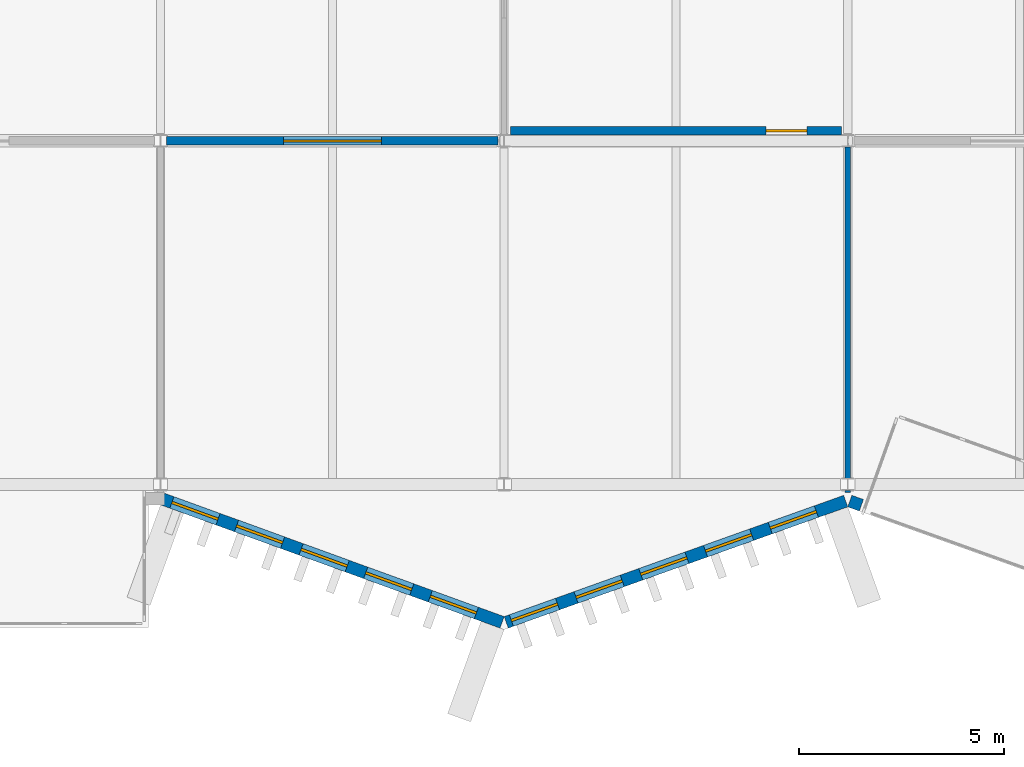
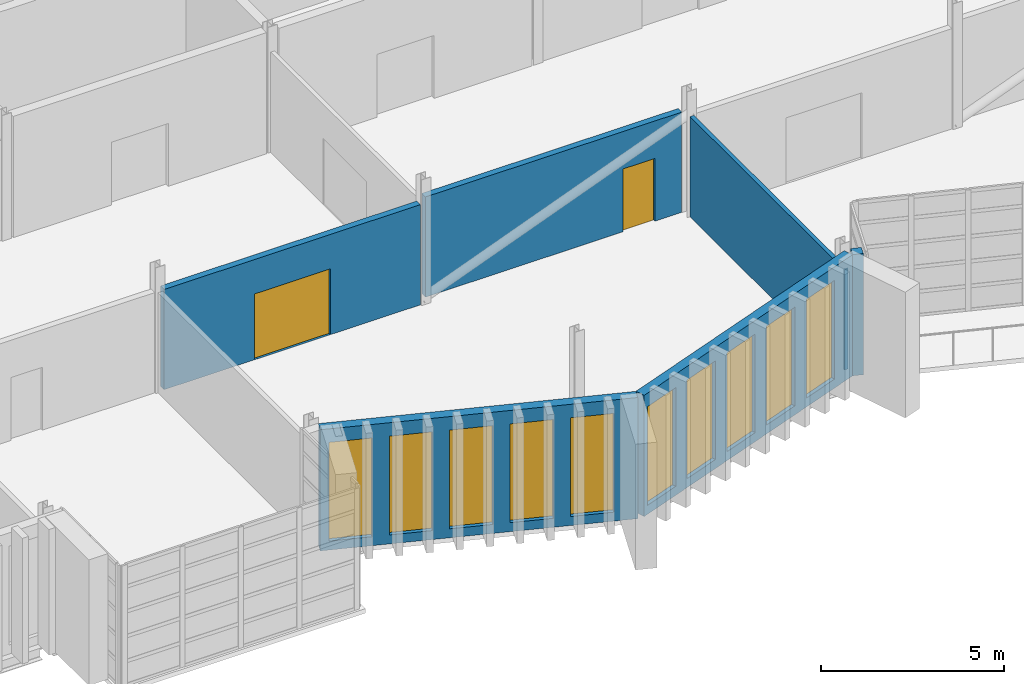
# One storey, part 65 of 100: 10 windows, 7 walls, 2 doors, 12 openings.
"""IFC4 building model written with IfcOpenShell, lengths in metres."""

from ifc_helpers import new_model, si_unit, direction, frame, frame_2d, origin, place, context, subcontext, project, spatial, rectangle, extrude, material, layer, layer_set, type_object, element, fill, save


model = new_model("IFC4")

# Units and contexts
model_context = context("Model", 3, precision=1e-05, world=origin(), true_north=direction((0.0, 1.0)))
body_context = subcontext(model_context, "Body", "Model", "MODEL_VIEW")
ifc_project = project(units=[si_unit("LENGTHUNIT", "METRE"), si_unit("AREAUNIT", "SQUARE_METRE"), si_unit("VOLUMEUNIT", "CUBIC_METRE"), si_unit("PLANEANGLEUNIT", "RADIAN"), si_unit("MASSUNIT", "GRAM", prefix="KILO")], contexts=[model_context])

# Site, building, storey
site_placement = place(None, origin())
site = spatial("IfcSite", under=ifc_project, at=site_placement, CompositionType="ELEMENT")
building_placement = place(site_placement, origin())
building = spatial("IfcBuilding", under=site, at=building_placement, Name="Cresset Court Congress Hotel", CompositionType="ELEMENT")
storey_placement = place(building_placement, frame((0.0, 0.0, 10.199951171875)))
storey = spatial("IfcBuildingStorey", under=building, at=storey_placement, Name="L02", CompositionType="ELEMENT", Elevation=10.199951171875)

# Wall, openings, windows
ifc_material_1 = material(Name="Concrete C40", Category="concrete")
ifc_layer_1 = layer(ifc_material_1, 0.300048828125)
ifc_layer_set_1 = layer_set([ifc_layer_1], Name="External wall 300 Concrete C40")
wall_type_1 = type_object("IfcWallType", Name="External wall 300 Concrete C40", PredefinedType="SOLIDWALL", material=ifc_layer_set_1)
wall_1_placement = place(storey_placement, frame((100.851318359375, -0.35888671875, 0.0), z_axis=(0.0, 0.0, 1.0), x_axis=(0.939953187971, -0.341303390584, 0.0)))
wall_1 = element("IfcWall", 1, at=wall_1_placement, inside=storey, type_object=wall_type_1, Name="External wall", PredefinedType="SOLIDWALL", context=body_context, shape_type="SweptSolid", body=[
    extrude(rectangle(XDim=8.828369140625, YDim=0.300048828125, at=frame_2d((4.4140625, 0.0))), origin(), (0.0, 0.0, 1.0), 4.050048828125),
])
opening_1_placement = place(wall_1_placement, frame((0.239990234375, 0.0, 0.300048828125)))
opening_1 = element("IfcOpeningElement", 2, at=opening_1_placement, cuts=wall_1, Name="Opening NB-02-34", PredefinedType="OPENING", context=body_context, shape_type="SweptSolid", body=[
    extrude(rectangle(XDim=1.199951171875, YDim=3.300048828125, at=frame_2d((0.60009765625, 1.64990234375))), frame((0.0, 0.159912109375, 0.0), z_axis=(0.0, -1.0, 0.0), x_axis=(1.0, 0.0, 0.0)), (0.0, 0.0, 1.0), 0.320068359375),
])
opening_2_placement = place(wall_1_placement, frame((1.919921875, 0.0, 0.300048828125)))
opening_2 = element("IfcOpeningElement", 3, at=opening_2_placement, cuts=wall_1, Name="Opening NB-02-35", PredefinedType="OPENING", context=body_context, shape_type="SweptSolid", body=[
    extrude(rectangle(XDim=1.199951171875, YDim=3.300048828125, at=frame_2d((0.60009765625, 1.64990234375))), frame((0.0, 0.159912109375, 0.0), z_axis=(0.0, -1.0, 0.0), x_axis=(1.0, 0.0, 0.0)), (0.0, 0.0, 1.0), 0.320068359375),
])
opening_3_placement = place(wall_1_placement, frame((3.60009765625, 0.0, 0.300048828125)))
opening_3 = element("IfcOpeningElement", 4, at=opening_3_placement, cuts=wall_1, Name="Opening NB-02-36", PredefinedType="OPENING", context=body_context, shape_type="SweptSolid", body=[
    extrude(rectangle(XDim=1.199951171875, YDim=3.300048828125, at=frame_2d((0.60009765625, 1.64990234375))), frame((0.0, 0.159912109375, 0.0), z_axis=(0.0, -1.0, 0.0), x_axis=(1.0, 0.0, 0.0)), (0.0, 0.0, 1.0), 0.320068359375),
])
opening_4_placement = place(wall_1_placement, frame((5.280029296875, 0.0, 0.300048828125)))
opening_4 = element("IfcOpeningElement", 5, at=opening_4_placement, cuts=wall_1, Name="Opening NB-02-37", PredefinedType="OPENING", context=body_context, shape_type="SweptSolid", body=[
    extrude(rectangle(XDim=1.199951171875, YDim=3.300048828125, at=frame_2d((0.60009765625, 1.64990234375))), frame((0.0, 0.159912109375, 0.0), z_axis=(0.0, -1.0, 0.0), x_axis=(1.0, 0.0, 0.0)), (0.0, 0.0, 1.0), 0.320068359375),
])
opening_5_placement = place(wall_1_placement, frame((6.9599609375, 0.0, 0.300048828125)))
opening_5 = element("IfcOpeningElement", 6, at=opening_5_placement, cuts=wall_1, Name="Opening NB-02-38", PredefinedType="OPENING", context=body_context, shape_type="SweptSolid", body=[
    extrude(rectangle(XDim=1.199951171875, YDim=3.300048828125, at=frame_2d((0.60009765625, 1.64990234375))), frame((0.0, 0.159912109375, 0.0), z_axis=(0.0, -1.0, 0.0), x_axis=(1.0, 0.0, 0.0)), (0.0, 0.0, 1.0), 0.320068359375),
])
ifc_material_2 = material(Name="Aluminium frame with double glazing", Category="aluminium")
window_type = type_object("IfcWindowType", Name="Window 1200x3300", PartitioningType="TRIPLE_PANEL_VERTICAL", PredefinedType="WINDOW", material=ifc_material_2)
window_1_placement = place(opening_1_placement, origin())
window_1 = element("IfcWindow", 7, at=window_1_placement, inside=storey, type_object=window_type, Name="Window NB-02-34", OverallHeight=3.300048828125, OverallWidth=1.199951171875, PartitioningType="TRIPLE_PANEL_VERTICAL", PredefinedType="WINDOW", context=body_context, shape_type="SweptSolid", body=[
    extrude(rectangle(XDim=1.199951171875, YDim=3.300048828125, at=frame_2d((0.60009765625, 1.64990234375))), frame((0.0, 0.030029296875, 0.0), z_axis=(0.0, -1.0, 0.0), x_axis=(1.0, 0.0, 0.0)), (0.0, 0.0, 1.0), 0.06005859375),
])
fill(opening_1, window_1)
window_2_placement = place(opening_2_placement, origin())
window_2 = element("IfcWindow", 8, at=window_2_placement, inside=storey, type_object=window_type, Name="Window NB-02-35", OverallHeight=3.300048828125, OverallWidth=1.199951171875, PartitioningType="TRIPLE_PANEL_VERTICAL", PredefinedType="WINDOW", context=body_context, shape_type="SweptSolid", body=[
    extrude(rectangle(XDim=1.199951171875, YDim=3.300048828125, at=frame_2d((0.60009765625, 1.64990234375))), frame((0.0, 0.030029296875, 0.0), z_axis=(0.0, -1.0, 0.0), x_axis=(1.0, 0.0, 0.0)), (0.0, 0.0, 1.0), 0.06005859375),
])
fill(opening_2, window_2)
window_3_placement = place(opening_3_placement, origin())
window_3 = element("IfcWindow", 9, at=window_3_placement, inside=storey, type_object=window_type, Name="Window NB-02-36", OverallHeight=3.300048828125, OverallWidth=1.199951171875, PartitioningType="TRIPLE_PANEL_VERTICAL", PredefinedType="WINDOW", context=body_context, shape_type="SweptSolid", body=[
    extrude(rectangle(XDim=1.199951171875, YDim=3.300048828125, at=frame_2d((0.60009765625, 1.64990234375))), frame((0.0, 0.030029296875, 0.0), z_axis=(0.0, -1.0, 0.0), x_axis=(1.0, 0.0, 0.0)), (0.0, 0.0, 1.0), 0.06005859375),
])
fill(opening_3, window_3)
window_4_placement = place(opening_4_placement, origin())
window_4 = element("IfcWindow", 10, at=window_4_placement, inside=storey, type_object=window_type, Name="Window NB-02-37", OverallHeight=3.300048828125, OverallWidth=1.199951171875, PartitioningType="TRIPLE_PANEL_VERTICAL", PredefinedType="WINDOW", context=body_context, shape_type="SweptSolid", body=[
    extrude(rectangle(XDim=1.199951171875, YDim=3.300048828125, at=frame_2d((0.60009765625, 1.64990234375))), frame((0.0, 0.030029296875, 0.0), z_axis=(0.0, -1.0, 0.0), x_axis=(1.0, 0.0, 0.0)), (0.0, 0.0, 1.0), 0.06005859375),
])
fill(opening_4, window_4)
window_5_placement = place(opening_5_placement, origin())
window_5 = element("IfcWindow", 11, at=window_5_placement, inside=storey, type_object=window_type, Name="Window NB-02-38", OverallHeight=3.300048828125, OverallWidth=1.199951171875, PartitioningType="TRIPLE_PANEL_VERTICAL", PredefinedType="WINDOW", context=body_context, shape_type="SweptSolid", body=[
    extrude(rectangle(XDim=1.199951171875, YDim=3.300048828125, at=frame_2d((0.60009765625, 1.64990234375))), frame((0.0, 0.030029296875, 0.0), z_axis=(0.0, -1.0, 0.0), x_axis=(1.0, 0.0, 0.0)), (0.0, 0.0, 1.0), 0.06005859375),
])
fill(opening_5, window_5)

wall_2_placement = place(storey_placement, frame((109.251220703125, -3.372314453125, 0.0), z_axis=(0.0, 0.0, 1.0), x_axis=(0.941744418946, 0.336329376334, 0.0)))
wall_2 = element("IfcWall", 12, at=wall_2_placement, inside=storey, type_object=wall_type_1, Name="External wall", PredefinedType="SOLIDWALL", context=body_context, shape_type="SweptSolid", body=[
    extrude(rectangle(XDim=8.811767578125, YDim=0.300048828125, at=frame_2d((4.40576171875, 0.0))), origin(), (0.0, 0.0, 1.0), 4.050048828125),
])
opening_6_placement = place(wall_2_placement, frame((0.132080078125, 0.0, 0.300048828125)))
opening_6 = element("IfcOpeningElement", 13, at=opening_6_placement, cuts=wall_2, Name="Opening NB-02-39", PredefinedType="OPENING", context=body_context, shape_type="SweptSolid", body=[
    extrude(rectangle(XDim=1.199951171875, YDim=3.300048828125, at=frame_2d((0.60009765625, 1.64990234375))), frame((0.0, 0.159912109375, 0.0), z_axis=(0.0, -1.0, 0.0), x_axis=(1.0, 0.0, 0.0)), (0.0, 0.0, 1.0), 0.320068359375),
])
opening_7_placement = place(wall_2_placement, frame((1.81201171875, 0.0, 0.300048828125)))
opening_7 = element("IfcOpeningElement", 14, at=opening_7_placement, cuts=wall_2, Name="Opening NB-02-40", PredefinedType="OPENING", context=body_context, shape_type="SweptSolid", body=[
    extrude(rectangle(XDim=1.199951171875, YDim=3.300048828125, at=frame_2d((0.60009765625, 1.64990234375))), frame((0.0, 0.159912109375, 0.0), z_axis=(0.0, -1.0, 0.0), x_axis=(1.0, 0.0, 0.0)), (0.0, 0.0, 1.0), 0.320068359375),
])
opening_8_placement = place(wall_2_placement, frame((3.491943359375, 0.0, 0.300048828125)))
opening_8 = element("IfcOpeningElement", 15, at=opening_8_placement, cuts=wall_2, Name="Opening NB-02-41", PredefinedType="OPENING", context=body_context, shape_type="SweptSolid", body=[
    extrude(rectangle(XDim=1.199951171875, YDim=3.300048828125, at=frame_2d((0.60009765625, 1.64990234375))), frame((0.0, 0.159912109375, 0.0), z_axis=(0.0, -1.0, 0.0), x_axis=(1.0, 0.0, 0.0)), (0.0, 0.0, 1.0), 0.320068359375),
])
opening_9_placement = place(wall_2_placement, frame((5.172119140625, 0.0, 0.300048828125)))
opening_9 = element("IfcOpeningElement", 16, at=opening_9_placement, cuts=wall_2, Name="Opening NB-02-42", PredefinedType="OPENING", context=body_context, shape_type="SweptSolid", body=[
    extrude(rectangle(XDim=1.199951171875, YDim=3.300048828125, at=frame_2d((0.60009765625, 1.64990234375))), frame((0.0, 0.159912109375, 0.0), z_axis=(0.0, -1.0, 0.0), x_axis=(1.0, 0.0, 0.0)), (0.0, 0.0, 1.0), 0.320068359375),
])
opening_10_placement = place(wall_2_placement, frame((6.85205078125, 0.0, 0.300048828125)))
opening_10 = element("IfcOpeningElement", 17, at=opening_10_placement, cuts=wall_2, Name="Opening NB-02-43", PredefinedType="OPENING", context=body_context, shape_type="SweptSolid", body=[
    extrude(rectangle(XDim=1.199951171875, YDim=3.300048828125, at=frame_2d((0.60009765625, 1.64990234375))), frame((0.0, 0.159912109375, 0.0), z_axis=(0.0, -1.0, 0.0), x_axis=(1.0, 0.0, 0.0)), (0.0, 0.0, 1.0), 0.320068359375),
])
window_6_placement = place(opening_6_placement, origin())
window_6 = element("IfcWindow", 18, at=window_6_placement, inside=storey, type_object=window_type, Name="Window NB-02-39", OverallHeight=3.300048828125, OverallWidth=1.199951171875, PartitioningType="TRIPLE_PANEL_VERTICAL", PredefinedType="WINDOW", context=body_context, shape_type="SweptSolid", body=[
    extrude(rectangle(XDim=1.199951171875, YDim=3.300048828125, at=frame_2d((0.60009765625, 1.64990234375))), frame((0.0, 0.030029296875, 0.0), z_axis=(0.0, -1.0, 0.0), x_axis=(1.0, 0.0, 0.0)), (0.0, 0.0, 1.0), 0.06005859375),
])
fill(opening_6, window_6)
window_7_placement = place(opening_7_placement, origin())
window_7 = element("IfcWindow", 19, at=window_7_placement, inside=storey, type_object=window_type, Name="Window NB-02-40", OverallHeight=3.300048828125, OverallWidth=1.199951171875, PartitioningType="TRIPLE_PANEL_VERTICAL", PredefinedType="WINDOW", context=body_context, shape_type="SweptSolid", body=[
    extrude(rectangle(XDim=1.199951171875, YDim=3.300048828125, at=frame_2d((0.60009765625, 1.64990234375))), frame((0.0, 0.030029296875, 0.0), z_axis=(0.0, -1.0, 0.0), x_axis=(1.0, 0.0, 0.0)), (0.0, 0.0, 1.0), 0.06005859375),
])
fill(opening_7, window_7)
window_8_placement = place(opening_8_placement, origin())
window_8 = element("IfcWindow", 20, at=window_8_placement, inside=storey, type_object=window_type, Name="Window NB-02-41", OverallHeight=3.300048828125, OverallWidth=1.199951171875, PartitioningType="TRIPLE_PANEL_VERTICAL", PredefinedType="WINDOW", context=body_context, shape_type="SweptSolid", body=[
    extrude(rectangle(XDim=1.199951171875, YDim=3.300048828125, at=frame_2d((0.60009765625, 1.64990234375))), frame((0.0, 0.030029296875, 0.0), z_axis=(0.0, -1.0, 0.0), x_axis=(1.0, 0.0, 0.0)), (0.0, 0.0, 1.0), 0.06005859375),
])
fill(opening_8, window_8)
window_9_placement = place(opening_9_placement, origin())
window_9 = element("IfcWindow", 21, at=window_9_placement, inside=storey, type_object=window_type, Name="Window NB-02-42", OverallHeight=3.300048828125, OverallWidth=1.199951171875, PartitioningType="TRIPLE_PANEL_VERTICAL", PredefinedType="WINDOW", context=body_context, shape_type="SweptSolid", body=[
    extrude(rectangle(XDim=1.199951171875, YDim=3.300048828125, at=frame_2d((0.60009765625, 1.64990234375))), frame((0.0, 0.030029296875, 0.0), z_axis=(0.0, -1.0, 0.0), x_axis=(1.0, 0.0, 0.0)), (0.0, 0.0, 1.0), 0.06005859375),
])
fill(opening_9, window_9)
window_10_placement = place(opening_10_placement, origin())
window_10 = element("IfcWindow", 22, at=window_10_placement, inside=storey, type_object=window_type, Name="Window NB-02-43", OverallHeight=3.300048828125, OverallWidth=1.199951171875, PartitioningType="TRIPLE_PANEL_VERTICAL", PredefinedType="WINDOW", context=body_context, shape_type="SweptSolid", body=[
    extrude(rectangle(XDim=1.199951171875, YDim=3.300048828125, at=frame_2d((0.60009765625, 1.64990234375))), frame((0.0, 0.030029296875, 0.0), z_axis=(0.0, -1.0, 0.0), x_axis=(1.0, 0.0, 0.0)), (0.0, 0.0, 1.0), 0.06005859375),
])
fill(opening_10, window_10)

# Wall
wall_3_placement = place(storey_placement, frame((117.650390625, -0.40869140625, 0.0), z_axis=(0.0, 0.0, 1.0), x_axis=(0.941889038699, -0.335924156289, 0.0)))
element("IfcWall", 23, at=wall_3_placement, inside=storey, type_object=wall_type_1, Name="External wall", PredefinedType="SOLIDWALL", context=body_context, shape_type="SweptSolid", body=[
    extrude(rectangle(XDim=0.300048828125, YDim=0.300048828125, at=frame_2d((0.14990234375, 0.0))), origin(), (0.0, 0.0, 1.0), 4.050048828125),
])

# Wall, opening, door
ifc_material_3 = material(Name="Gypsum board on steel studs", Category="steel")
ifc_layer_2 = layer(ifc_material_3, 0.199951171875)
ifc_layer_set_2 = layer_set([ifc_layer_2], Name="Foyer wall 200")
wall_type_2 = type_object("IfcWallType", Name="Foyer wall 200", PredefinedType="PARTITIONING", material=ifc_layer_set_2)
wall_4_placement = place(storey_placement, frame((100.949951171875, 8.39990234375, 0.0), z_axis=(0.0, 0.0, 1.0), x_axis=(1.0, 0.0, 0.0)))
wall_4 = element("IfcWall", 24, at=wall_4_placement, inside=storey, type_object=wall_type_2, Name="Foyer wall", PredefinedType="PARTITIONING", context=body_context, shape_type="SweptSolid", body=[
    extrude(rectangle(XDim=8.10009765625, YDim=0.199951171875, at=frame_2d((4.050048828125, 0.0))), origin(), (0.0, 0.0, 1.0), 3.35009765625),
])
opening_11_placement = place(wall_4_placement, frame((2.85009765625, 0.0, 0.0)))
opening_11 = element("IfcOpeningElement", 25, at=opening_11_placement, cuts=wall_4, Name="Opening DB-02-10", PredefinedType="OPENING", context=body_context, shape_type="SweptSolid", body=[
    extrude(rectangle(XDim=2.39990234375, YDim=2.199951171875, at=frame_2d((1.199951171875, 1.10009765625))), frame((0.0, 0.10986328125, 0.0), z_axis=(0.0, -1.0, 0.0), x_axis=(1.0, 0.0, 0.0)), (0.0, 0.0, 1.0), 0.219970703125),
])
ifc_material_4 = material(Name="Timber and steel frame", Category="steel")
door_type_1 = type_object("IfcDoorType", Name="Fire door FD30 double 2400x2200", OperationType="DOUBLE_DOOR_SINGLE_SWING", PredefinedType="DOOR", material=ifc_material_4)
door_1_placement = place(opening_11_placement, origin())
door_1 = element("IfcDoor", 26, at=door_1_placement, inside=storey, type_object=door_type_1, Name="Meeting Room door", OperationType="DOUBLE_DOOR_SINGLE_SWING", OverallHeight=2.199951171875, OverallWidth=2.39990234375, PredefinedType="DOOR", context=body_context, shape_type="SweptSolid", body=[
    extrude(rectangle(XDim=2.39990234375, YDim=2.199951171875, at=frame_2d((1.199951171875, 1.10009765625))), frame((0.0, 0.02490234375, 0.0), z_axis=(0.0, -1.0, 0.0), x_axis=(1.0, 0.0, 0.0)), (0.0, 0.0, 1.0), 0.050048828125),
])
fill(opening_11, door_1)

wall_5_placement = place(storey_placement, frame((109.35009765625, 8.646484375, 0.0), z_axis=(0.0, 0.0, 1.0), x_axis=(1.0, 0.0, 0.0)))
wall_5 = element("IfcWall", 27, at=wall_5_placement, inside=storey, type_object=wall_type_2, Name="Foyer wall", PredefinedType="PARTITIONING", context=body_context, shape_type="SweptSolid", body=[
    extrude(rectangle(XDim=8.099853515625, YDim=0.199951171875, at=frame_2d((4.0498046875, 0.0))), origin(), (0.0, 0.0, 1.0), 3.35009765625),
])
opening_12_placement = place(wall_5_placement, frame((6.25, 0.0, 0.0)))
opening_12 = element("IfcOpeningElement", 28, at=opening_12_placement, cuts=wall_5, Name="Opening DB-02-11", PredefinedType="OPENING", context=body_context, shape_type="SweptSolid", body=[
    extrude(rectangle(XDim=1.0, YDim=2.10009765625, at=frame_2d((0.5, 1.050048828125))), frame((0.0, 0.10986328125, 0.0), z_axis=(0.0, -1.0, 0.0), x_axis=(1.0, 0.0, 0.0)), (0.0, 0.0, 1.0), 0.219970703125),
])
ifc_material_5 = material(Name="Timber and steel frame", Category="steel")
door_type_2 = type_object("IfcDoorType", Name="Fire door FD30 single 1000x2100", OperationType="SINGLE_SWING_LEFT", PredefinedType="DOOR", material=ifc_material_5)
door_2_placement = place(opening_12_placement, origin())
door_2 = element("IfcDoor", 29, at=door_2_placement, inside=storey, type_object=door_type_2, Name="Meeting Room door", OperationType="SINGLE_SWING_LEFT", OverallHeight=2.10009765625, OverallWidth=1.0, PredefinedType="DOOR", context=body_context, shape_type="SweptSolid", body=[
    extrude(rectangle(XDim=1.0, YDim=2.10009765625, at=frame_2d((0.5, 1.050048828125))), frame((0.0, 0.02490234375, 0.0), z_axis=(0.0, -1.0, 0.0), x_axis=(1.0, 0.0, 0.0)), (0.0, 0.0, 1.0), 0.050048828125),
])
fill(opening_12, door_2)

# Walls
ifc_material_6 = material(Name="Laminated timber panels", Category="wood")
ifc_layer_3 = layer(ifc_material_6, 0.125)
ifc_layer_set_3 = layer_set([ifc_layer_3], Name="Operable partition 125")
wall_type_3 = type_object("IfcWallType", Name="Operable partition 125", PredefinedType="MOVABLE", material=ifc_layer_set_3)
wall_6_placement = place(storey_placement, frame((117.60009765625, -0.199951171875, 0.0), z_axis=(0.0, 0.0, 1.0), x_axis=(0.0, 1.0, 0.0)))
element("IfcWall", 30, at=wall_6_placement, inside=storey, type_object=wall_type_3, Name="Operable partition", PredefinedType="MOVABLE", context=body_context, shape_type="SweptSolid", body=[
    extrude(rectangle(XDim=0.050048828125, YDim=0.125, at=frame_2d((0.02490234375, 0.0))), origin(), (0.0, 0.0, 1.0), 3.35009765625),
])
wall_7_placement = place(storey_placement, frame((117.60009765625, 0.14990234375, 0.0), z_axis=(0.0, 0.0, 1.0), x_axis=(0.0, 1.0, 0.0)))
element("IfcWall", 31, at=wall_7_placement, inside=storey, type_object=wall_type_3, Name="Operable partition", PredefinedType="MOVABLE", context=body_context, shape_type="SweptSolid", body=[
    extrude(rectangle(XDim=8.10009765625, YDim=0.125, at=frame_2d((4.050048828125, 0.0))), origin(), (0.0, 0.0, 1.0), 3.35009765625),
])

save(model, "model.ifc")
